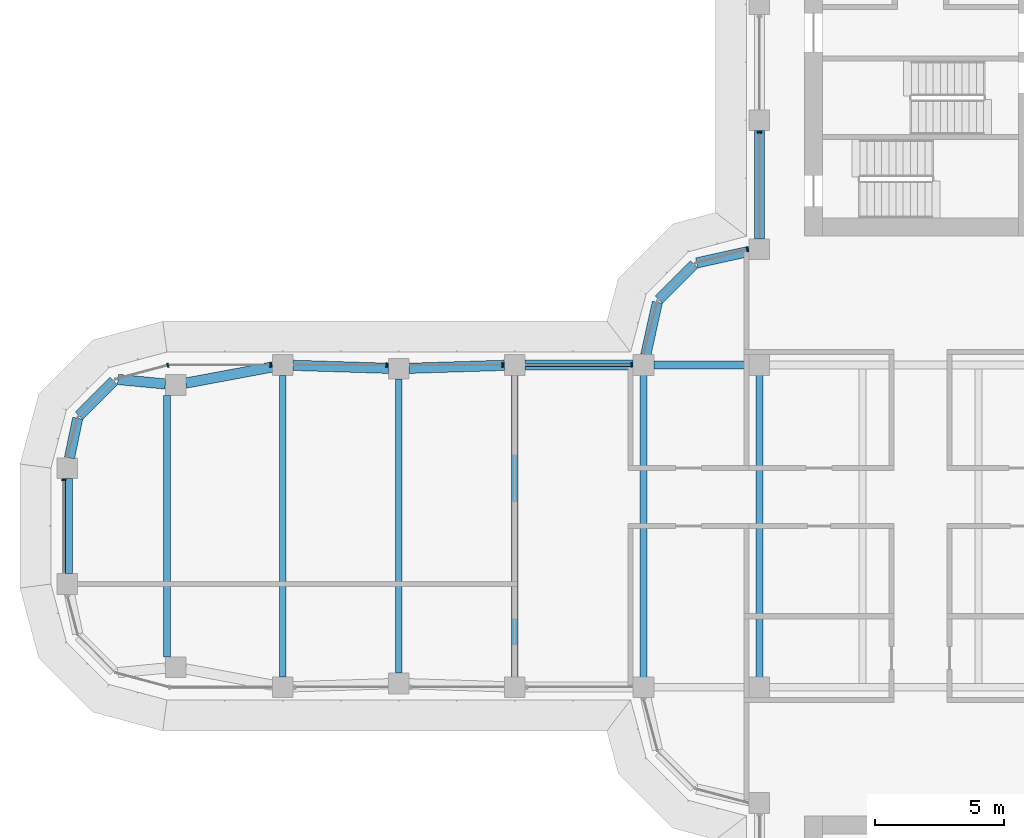
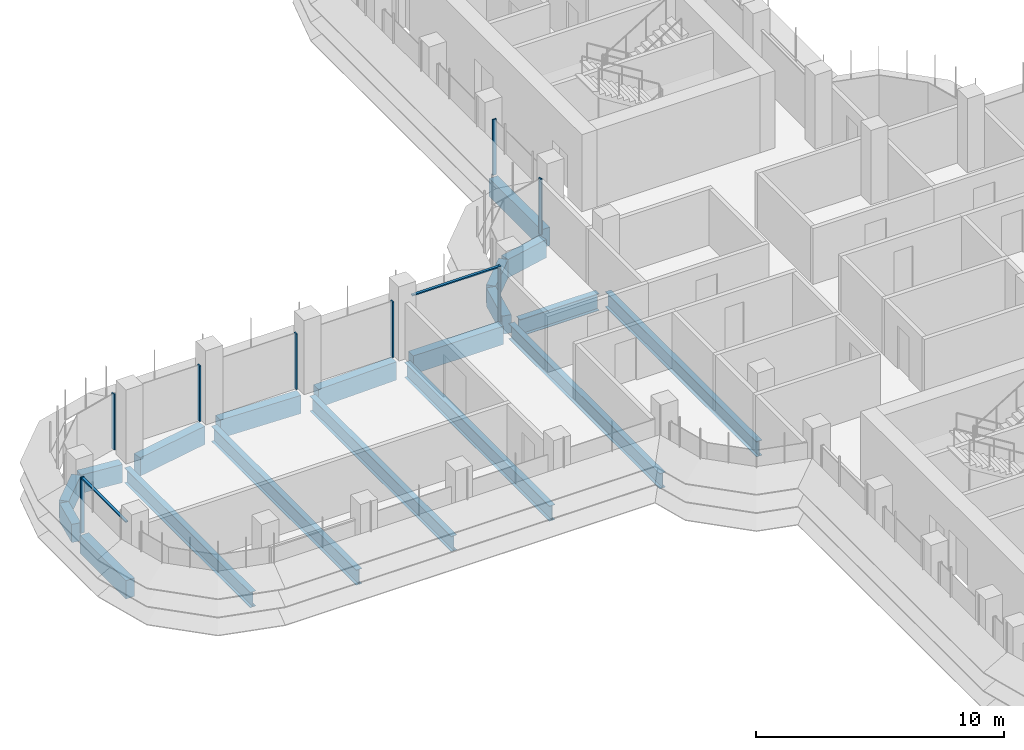
# One storey, part 6 of 19: 19 beams, 10 members, 5 elements without a shape of their own.
"""IFC4 building model written with IfcOpenShell, lengths in metres."""

from ifc_helpers import new_model, si_unit, direction, frame, origin, origin_2d, place, context, subcontext, project, spatial, polyline, rectangle, i_section, outline, extrude, source, transform, mapped, material, material_profile, profile_set, type_object, element, aggregate, save


model = new_model("IFC4")

# Units and contexts
model_context = context("Model", 3, precision=1e-05, world=origin(), true_north=direction((0.0, 1.0)))
body_context = subcontext(model_context, "Body", "Model", "MODEL_VIEW")
ifc_project = project(units=[si_unit("LENGTHUNIT", "METRE"), si_unit("AREAUNIT", "SQUARE_METRE"), si_unit("VOLUMEUNIT", "CUBIC_METRE"), si_unit("PLANEANGLEUNIT", "RADIAN"), si_unit("MASSUNIT", "GRAM", prefix="KILO")], contexts=[model_context])

# Site, building, storey
site_placement = place(None, origin())
site = spatial("IfcSite", under=ifc_project, at=site_placement, CompositionType="ELEMENT")
building_placement = place(site_placement, origin())
building = spatial("IfcBuilding", under=site, at=building_placement, Name="Zarbagh Exchange Tower", CompositionType="ELEMENT")
storey_placement = place(building_placement, frame((0.0, 0.0, 179.0)))
storey = spatial("IfcBuildingStorey", under=building, at=storey_placement, Name="L43", CompositionType="ELEMENT", Elevation=179.0)

# Beams
ifc_material_1 = material(Name="Steel ASTM A992 Gr 50", Category="steel")
ifc_material_profile_1 = material_profile(ifc_material_1, i_section(OverallWidth=0.26416015625, OverallDepth=0.749267578125, WebThickness=0.011962890625, FlangeThickness=0.015380859375, at=origin_2d()), Name="W30X90")
ifc_profile_set_1 = profile_set([ifc_material_profile_1], Name="Steel ASTM A992 Gr 50")
beam_type_1 = type_object("IfcBeamType", Name="Floor beam W30X90", PredefinedType="BEAM", material=ifc_profile_set_1)
for number, where, z_axis, x_axis, name in (
    (1, (-10.75, -6.10400390625, -0.524658203125), (0.0, 1.0, 0.0), (-1.0, 0.0, 0.0), "Steel floor beam"),
    (2, (-6.25, -6.10400390625, -0.524658203125), (0.0, 1.0, 0.0), (-1.0, 0.0, 0.0), "Steel floor beam"),
):
    element("IfcBeam", number, at=place(storey_placement, frame(where, z_axis=z_axis, x_axis=x_axis)), inside=storey, type_object=beam_type_1, Name=name, PredefinedType="BEAM", context=body_context, shape_type="SweptSolid", body=[
        extrude(i_section(OverallWidth=0.26416015625, OverallDepth=0.749267578125, WebThickness=0.011962890625, FlangeThickness=0.015380859375, at=origin_2d()), origin(), (0.0, 0.0, 1.0), 12.2080078125),
    ])
beam_1_placement = place(storey_placement, frame((-15.75, -5.85009765625, -0.524658203125), z_axis=(0.0, 1.0, 0.0), x_axis=(-1.0, 0.0, 0.0)))
element("IfcBeam", 3, at=beam_1_placement, inside=storey, type_object=beam_type_1, Name="Steel floor beam", PredefinedType="BEAM", context=body_context, shape_type="SweptSolid", body=[
    extrude(i_section(OverallWidth=0.26416015625, OverallDepth=0.749267578125, WebThickness=0.011962890625, FlangeThickness=0.015380859375, at=origin_2d()), origin(), (0.0, 0.0, 1.0), 11.7001953125),
])
beam_2_placement = place(storey_placement, frame((-20.25, -5.7099609375, -0.524658203125), z_axis=(0.0, 1.0, 0.0), x_axis=(-1.0, 0.0, 0.0)))
element("IfcBeam", 4, at=beam_2_placement, inside=storey, type_object=beam_type_1, Name="Steel floor beam", PredefinedType="BEAM", context=body_context, shape_type="SweptSolid", body=[
    extrude(i_section(OverallWidth=0.26416015625, OverallDepth=0.749267578125, WebThickness=0.011962890625, FlangeThickness=0.015380859375, at=origin_2d()), origin(), (0.0, 0.0, 1.0), 11.419921875),
])
beam_3_placement = place(storey_placement, frame((-24.75, -5.85009765625, -0.524658203125), z_axis=(0.0, 1.0, 0.0), x_axis=(-1.0, 0.0, 0.0)))
element("IfcBeam", 5, at=beam_3_placement, inside=storey, type_object=beam_type_1, Name="Steel floor beam", PredefinedType="BEAM", context=body_context, shape_type="SweptSolid", body=[
    extrude(i_section(OverallWidth=0.26416015625, OverallDepth=0.749267578125, WebThickness=0.011962890625, FlangeThickness=0.015380859375, at=origin_2d()), origin(), (0.0, 0.0, 1.0), 11.7001953125),
])
beam_4_placement = place(storey_placement, frame((-29.25, -5.074951171875, -0.524658203125), z_axis=(0.0, 1.0, 0.0), x_axis=(-1.0, 0.0, 0.0)))
element("IfcBeam", 6, at=beam_4_placement, inside=storey, type_object=beam_type_1, Name="Steel floor beam", PredefinedType="BEAM", context=body_context, shape_type="SweptSolid", body=[
    extrude(i_section(OverallWidth=0.26416015625, OverallDepth=0.749267578125, WebThickness=0.011962890625, FlangeThickness=0.015380859375, at=origin_2d()), origin(), (0.0, 0.0, 1.0), 10.14990234375),
])
ifc_material_profile_2 = material_profile(ifc_material_1, i_section(OverallWidth=0.2919921875, OverallDepth=0.835693359375, WebThickness=0.013916015625, FlangeThickness=0.018798828125, at=origin_2d()), Name="W33X118")
ifc_profile_set_2 = profile_set([ifc_material_profile_2], Name="Steel ASTM A992 Gr 50")
beam_type_2 = type_object("IfcBeamType", Name="Floor girder W33X118", PredefinedType="BEAM", material=ifc_profile_set_2)
beam_5_placement = place(storey_placement, frame((-10.35009765625, 6.25, -0.56787109375), z_axis=(1.0, 0.0, 0.0), x_axis=(0.0, 1.0, 0.0)))
element("IfcBeam", 7, at=beam_5_placement, inside=storey, type_object=beam_type_2, Name="Steel girder", PredefinedType="BEAM", context=body_context, shape_type="SweptSolid", body=[
    extrude(i_section(OverallWidth=0.2919921875, OverallDepth=0.835693359375, WebThickness=0.013916015625, FlangeThickness=0.018798828125, at=origin_2d()), origin(), (0.0, 0.0, 1.0), 3.7001953125),
])
ifc_material_2 = material(Name="Concrete C50/60", Category="concrete")
ifc_material_profile_3 = material_profile(ifc_material_2, rectangle(XDim=0.39990234375, YDim=0.89990234375, at=origin_2d()), Name="RC spandrel beam 400 x 900 C50/60")
ifc_profile_set_3 = profile_set([ifc_material_profile_3], Name="Concrete C50/60")
beam_type_3 = type_object("IfcBeamType", Name="RC spandrel beam 400 x 900 C50/60", PredefinedType="SPANDREL", material=ifc_profile_set_3)
beam_6_placement = place(storey_placement, frame((-33.110107421875, -1.85009765625, -0.60009765625), z_axis=(0.0, 1.0, 0.0), x_axis=(-1.0, 0.0, 0.0)))
element("IfcBeam", 8, at=beam_6_placement, inside=storey, type_object=beam_type_3, Name="RC spandrel beam", PredefinedType="SPANDREL", context=body_context, shape_type="SweptSolid", body=[
    extrude(rectangle(XDim=0.39990234375, YDim=0.89990234375, at=origin_2d()), origin(), (0.0, 0.0, 1.0), 3.7001953125),
])
beam_7_placement = place(storey_placement, frame((-33.029052734375, 2.6416015625, -0.60009765625), z_axis=(0.20216948151, 0.979350550491, 0.0), x_axis=(-0.979350550491, 0.20216948151, 0.0)))
element("IfcBeam", 9, at=beam_7_placement, inside=storey, type_object=beam_type_3, Name="RC spandrel beam", PredefinedType="SPANDREL", context=body_context, shape_type="SweptSolid", body=[
    extrude(rectangle(XDim=0.39990234375, YDim=0.89990234375, at=origin_2d()), origin(), (0.0, 0.0, 1.0), 1.573486328125),
])
beam_8_placement = place(storey_placement, frame((-32.656494140625, 4.283447265625, -0.60009765625), z_axis=(0.707106781187, 0.707106781187, 0.0), x_axis=(-0.707106781187, 0.707106781187, 0.0)))
element("IfcBeam", 10, at=beam_8_placement, inside=storey, type_object=beam_type_3, Name="RC spandrel beam", PredefinedType="SPANDREL", context=body_context, shape_type="SweptSolid", body=[
    extrude(rectangle(XDim=0.39990234375, YDim=0.89990234375, at=origin_2d()), origin(), (0.0, 0.0, 1.0), 1.9072265625),
])
beam_9_placement = place(storey_placement, frame((-31.147216796875, 5.689697265625, -0.60009765625), z_axis=(0.995435353267, -0.095438239015, 0.0), x_axis=(0.095438239015, 0.995435353267, 0.0)))
element("IfcBeam", 11, at=beam_9_placement, inside=storey, type_object=beam_type_3, Name="RC spandrel beam", PredefinedType="SPANDREL", context=body_context, shape_type="SweptSolid", body=[
    extrude(rectangle(XDim=0.39990234375, YDim=0.89990234375, at=origin_2d()), origin(), (0.0, 0.0, 1.0), 1.849609375),
])
beam_10_placement = place(storey_placement, frame((-28.514892578125, 5.54833984375, -0.60009765625), z_axis=(0.983069862768, 0.183231124313, 0.0), x_axis=(-0.183231124313, 0.983069862768, 0.0)))
element("IfcBeam", 12, at=beam_10_placement, inside=storey, type_object=beam_type_3, Name="RC spandrel beam", PredefinedType="SPANDREL", context=body_context, shape_type="SweptSolid", body=[
    extrude(rectangle(XDim=0.39990234375, YDim=0.89990234375, at=origin_2d()), origin(), (0.0, 0.0, 1.0), 3.4296875),
])
for number, where, z_axis, x_axis, name in (
    (13, (-24.35009765625, 6.237548828125, -0.60009765625), (0.999515416033, -0.031127690444, 0.0), (0.031127690444, 0.999515416033, 0.0), "RC spandrel beam"),
    (14, (-19.85009765625, 6.122314453125, -0.60009765625), (0.999515416033, 0.031127690444, 0.0), (-0.031127690444, 0.999515416033, 0.0), "RC spandrel beam"),
):
    element("IfcBeam", number, at=place(storey_placement, frame(where, z_axis=z_axis, x_axis=x_axis)), inside=storey, type_object=beam_type_3, Name=name, PredefinedType="SPANDREL", context=body_context, shape_type="SweptSolid", body=[
        extrude(rectangle(XDim=0.39990234375, YDim=0.89990234375, at=origin_2d()), origin(), (0.0, 0.0, 1.0), 3.701904296875),
    ])
beam_11_placement = place(storey_placement, frame((-15.35009765625, 6.25, -0.60009765625), z_axis=(1.0, 0.0, 0.0), x_axis=(0.0, 1.0, 0.0)))
element("IfcBeam", 15, at=beam_11_placement, inside=storey, type_object=beam_type_3, Name="RC spandrel beam", PredefinedType="SPANDREL", context=body_context, shape_type="SweptSolid", body=[
    extrude(rectangle(XDim=0.39990234375, YDim=0.89990234375, at=origin_2d()), origin(), (0.0, 0.0, 1.0), 4.2001953125),
])
beam_12_placement = place(storey_placement, frame((-10.66357421875, 6.640625, -0.60009765625), z_axis=(0.216041061437, 0.976384278741, 0.0), x_axis=(-0.976384278741, 0.216041061437, 0.0)))
element("IfcBeam", 16, at=beam_12_placement, inside=storey, type_object=beam_type_3, Name="RC spandrel beam", PredefinedType="SPANDREL", context=body_context, shape_type="SweptSolid", body=[
    extrude(rectangle(XDim=0.39990234375, YDim=0.89990234375, at=origin_2d()), origin(), (0.0, 0.0, 1.0), 2.0927734375),
])
beam_13_placement = place(storey_placement, frame((-10.15771484375, 8.782470703125, -0.60009765625), z_axis=(0.707106781187, 0.707106781187, 0.0), x_axis=(-0.707106781187, 0.707106781187, 0.0)))
element("IfcBeam", 17, at=beam_13_placement, inside=storey, type_object=beam_type_3, Name="RC spandrel beam", PredefinedType="SPANDREL", context=body_context, shape_type="SweptSolid", body=[
    extrude(rectangle(XDim=0.39990234375, YDim=0.89990234375, at=origin_2d()), origin(), (0.0, 0.0, 1.0), 1.94482421875),
])
beam_14_placement = place(storey_placement, frame((-8.68408203125, 10.21142578125, -0.60009765625), z_axis=(0.976384278741, 0.216041061437, 0.0), x_axis=(-0.216041061437, 0.976384278741, 0.0)))
element("IfcBeam", 18, at=beam_14_placement, inside=storey, type_object=beam_type_3, Name="RC spandrel beam", PredefinedType="SPANDREL", context=body_context, shape_type="SweptSolid", body=[
    extrude(rectangle(XDim=0.39990234375, YDim=0.89990234375, at=origin_2d()), origin(), (0.0, 0.0, 1.0), 2.0927734375),
])
beam_15_placement = place(storey_placement, frame((-6.25, 11.14990234375, -0.60009765625), z_axis=(0.0, 1.0, 0.0), x_axis=(-1.0, 0.0, 0.0)))
element("IfcBeam", 19, at=beam_15_placement, inside=storey, type_object=beam_type_3, Name="RC spandrel beam", PredefinedType="SPANDREL", context=body_context, shape_type="SweptSolid", body=[
    extrude(rectangle(XDim=0.39990234375, YDim=0.89990234375, at=origin_2d()), origin(), (0.0, 0.0, 1.0), 4.2001953125),
])

# Curtain wall, member
ifc_material_3 = material(Name="Anodised aluminium frame and glazing", Category="aluminium")
curtain_wall_type = type_object("IfcCurtainWallType", Name="CWB Ribbon glazing, upper zones", PredefinedType="NOTDEFINED", material=ifc_material_3)
curtain_wall_1_placement = place(storey_placement, origin())
curtain_wall_1 = element("IfcCurtainWall", 20, at=curtain_wall_1_placement, inside=storey, type_object=curtain_wall_type, Name="CWB28 curtain wall", PredefinedType="NOTDEFINED")
ifc_material_4 = material(Name="Anodised aluminium frame", Category="aluminium")
member_type_1 = type_object("IfcMemberType", Name="MUB Mullion, anodised aluminium frame", PredefinedType="MULLION", material=ifc_material_4)
shared_shape_1 = source(origin(), body_context, "Body", "SweptSolid", [
    extrude(outline(polyline([(0.0, -0.080078125), (0.06005859375, -0.080078125), (0.06005859375, 0.080078125), (0.0, 0.080078125), (0.0, -0.080078125)])), origin(), (0.0, 0.0, 1.0), 2.75),
])
placement = place(storey_placement, origin())
member_1 = element("IfcMember", 21, at=placement, type_object=member_type_1, Name="CWB28 mullion 4.1", PredefinedType="MULLION", context=body_context, shape_type="MappedRepresentation", body=[
    mapped(shared_shape_1, transform((-6.25, 15.31005859375, 0.0), x_axis=(0.0, -1.0, 0.0), y_axis=(1.0, 0.0, 0.0), z_axis=(0.0, 0.0, 1.0))),
])
aggregate(curtain_wall_1, [member_1])

curtain_wall_2_placement = place(storey_placement, origin())
curtain_wall_2 = element("IfcCurtainWall", 22, at=curtain_wall_2_placement, inside=storey, type_object=curtain_wall_type, Name="CWB29 curtain wall", PredefinedType="NOTDEFINED")
member_2 = element("IfcMember", 23, at=placement, type_object=member_type_1, Name="CWB29 mullion 1.1", PredefinedType="MULLION", context=body_context, shape_type="MappedRepresentation", body=[
    mapped(shared_shape_1, transform((-6.68994140625, 10.74853515625, 0.0), x_axis=(-0.965924289636, -0.258824779902, 0.0), y_axis=(0.258824779902, -0.965924289636, 0.0), z_axis=(0.0, 0.0, 1.0))),
])
aggregate(curtain_wall_2, [member_2])

# Curtain wall, members
curtain_wall_3_placement = place(storey_placement, origin())
curtain_wall_3 = element("IfcCurtainWall", 24, at=curtain_wall_3_placement, inside=storey, type_object=curtain_wall_type, Name="CWB32 curtain wall", PredefinedType="NOTDEFINED")
member_3 = element("IfcMember", 25, at=placement, type_object=member_type_1, Name="CWB32 mullion 1.1", PredefinedType="MULLION", context=body_context, shape_type="MappedRepresentation", body=[
    mapped(shared_shape_1, transform((-11.18994140625, 6.25, 0.0), x_axis=(-1.0, 0.0, 0.0), y_axis=(0.0, -1.0, 0.0), z_axis=(0.0, 0.0, 1.0))),
])
member_4 = element("IfcMember", 26, at=placement, type_object=member_type_1, Name="CWB32 mullion 2.1", PredefinedType="MULLION", context=body_context, shape_type="MappedRepresentation", body=[
    mapped(shared_shape_1, transform((-16.18994140625, 6.25, 0.0), x_axis=(-1.0, 0.0, 0.0), y_axis=(0.0, -1.0, 0.0), z_axis=(0.0, 0.0, 1.0))),
])
member_5 = element("IfcMember", 27, at=placement, type_object=member_type_1, Name="CWB32 mullion 3.1", PredefinedType="MULLION", context=body_context, shape_type="MappedRepresentation", body=[
    mapped(shared_shape_1, transform((-20.68994140625, 6.25, 0.0), x_axis=(-1.0, 0.0, 0.0), y_axis=(0.0, -1.0, 0.0), z_axis=(0.0, 0.0, 1.0))),
])
member_6 = element("IfcMember", 28, at=placement, type_object=member_type_1, Name="CWB32 mullion 4.1", PredefinedType="MULLION", context=body_context, shape_type="MappedRepresentation", body=[
    mapped(shared_shape_1, transform((-25.18994140625, 6.25, 0.0), x_axis=(-1.0, 0.0, 0.0), y_axis=(0.0, -1.0, 0.0), z_axis=(0.0, 0.0, 1.0))),
])

# Curtain wall, member
curtain_wall_4_placement = place(storey_placement, origin())
curtain_wall_4 = element("IfcCurtainWall", 29, at=curtain_wall_4_placement, inside=storey, type_object=curtain_wall_type, Name="CWB33 curtain wall", PredefinedType="NOTDEFINED")
member_7 = element("IfcMember", 30, at=placement, type_object=member_type_1, Name="CWB33 mullion 1.1", PredefinedType="MULLION", context=body_context, shape_type="MappedRepresentation", body=[
    mapped(shared_shape_1, transform((-29.18408203125, 6.25, 0.0), x_axis=(-0.965924289636, -0.258824779902, 0.0), y_axis=(0.258824779902, -0.965924289636, 0.0), z_axis=(0.0, 0.0, 1.0))),
])
aggregate(curtain_wall_4, [member_7])

curtain_wall_5_placement = place(storey_placement, origin())
curtain_wall_5 = element("IfcCurtainWall", 31, at=curtain_wall_5_placement, inside=storey, type_object=curtain_wall_type, Name="CWB36 curtain wall", PredefinedType="NOTDEFINED")
member_8 = element("IfcMember", 32, at=placement, type_object=member_type_1, Name="CWB36 mullion 1.1", PredefinedType="MULLION", context=body_context, shape_type="MappedRepresentation", body=[
    mapped(shared_shape_1, transform((-33.25, 1.81005859375, 0.0), x_axis=(0.0, -1.0, 0.0), y_axis=(1.0, 0.0, 0.0), z_axis=(0.0, 0.0, 1.0))),
])

# Member
member_type_2 = type_object("IfcMemberType", Name="TRB Transom, anodised aluminium frame", PredefinedType="USERDEFINED", material=ifc_material_4)
shared_shape_2 = source(origin(), body_context, "Body", "SweptSolid", [
    extrude(outline(polyline([(-0.06005859375, -0.06005859375), (0.0, -0.06005859375), (0.0, 0.06005859375), (-0.06005859375, 0.06005859375), (-0.06005859375, -0.06005859375)])), origin(), (0.0, 0.0, 1.0), 4.06005859375),
])
member_9 = element("IfcMember", 33, at=placement, type_object=member_type_2, Name="CWB32 transom 1.1", ObjectType="TRANSOM", PredefinedType="USERDEFINED", context=body_context, shape_type="MappedRepresentation", body=[
    mapped(shared_shape_2, transform((-11.25, 6.25, 2.75), x_axis=(0.0, 0.0, 1.0), y_axis=(0.0, 1.0, 0.0), z_axis=(-1.0, 0.0, 0.0))),
])

aggregate(curtain_wall_3, [member_3, member_9, member_4, member_5, member_6])

shared_shape_3 = source(origin(), body_context, "Body", "SweptSolid", [
    extrude(outline(polyline([(-0.06005859375, -0.06005859375), (0.0, -0.06005859375), (0.0, 0.06005859375), (-0.06005859375, 0.06005859375), (-0.06005859375, -0.06005859375)])), origin(), (0.0, 0.0, 1.0), 3.56005859375),
])
member_10 = element("IfcMember", 34, at=placement, type_object=member_type_2, Name="CWB36 transom 1.1", ObjectType="TRANSOM", PredefinedType="USERDEFINED", context=body_context, shape_type="MappedRepresentation", body=[
    mapped(shared_shape_3, transform((-33.25, 1.75, 2.75), x_axis=(0.0, 0.0, 1.0), y_axis=(-1.0, 0.0, 0.0), z_axis=(0.0, -1.0, 0.0))),
])

aggregate(curtain_wall_5, [member_8, member_10])

save(model, "model.ifc")
